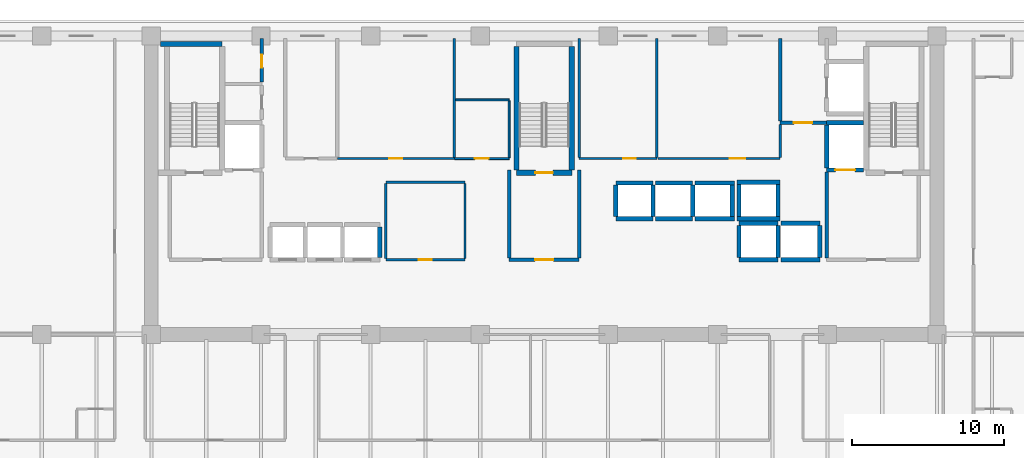
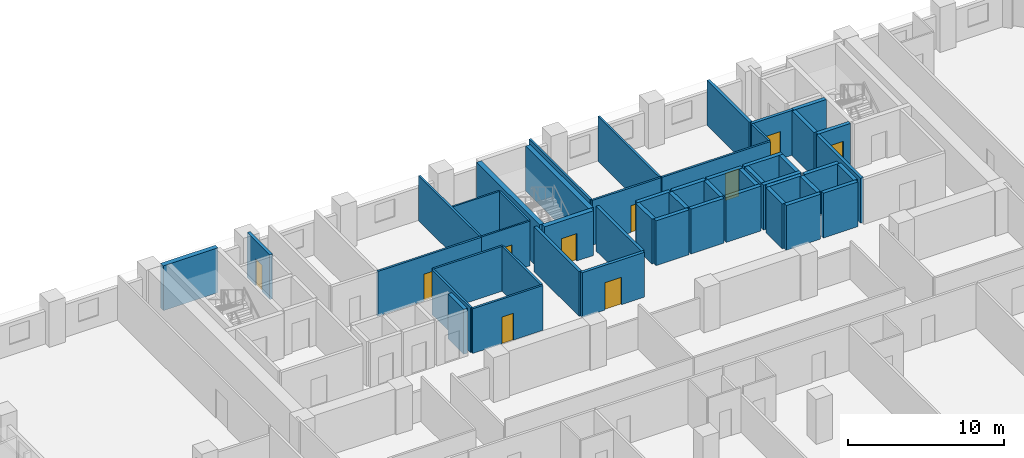
# One storey, part 7 of 14: 50 walls, 10 doors, 10 openings.
"""IFC4 building model written with IfcOpenShell, lengths in metres."""

import ifcopenshell
import ifcopenshell.guid

model = None  # the IFC model being written
_history = None  # IfcOwnerHistory: only IFC2X3 demands one
_inside = {}  # id of a spatial element -> (the spatial element, [elements in it])
_under = {}  # id of a project, library or spatial element -> (it, [spatial elements below it])
_declared = {}  # id of a project -> (the project, [libraries it declares])
_typed = {}  # id of a type object -> (the type object, [elements of that type])
_made_of = {}  # id of a material, layer set ... -> (it, [elements and type objects made of it])


def new_model(schema):
    """Start an empty IFC model of exactly this schema.

    Asked for "IFC4X3", IfcOpenShell would pick the latest addendum, in which some entities
    have other attributes; the version numbers below select the first issue.
    IFC2X3 requires an IfcOwnerHistory on every rooted entity: one is made here for all.
    """
    global model, _history
    if schema == "IFC4X3":
        model = ifcopenshell.file(schema_version=(4, 3, 0, 0))
    else:
        model = ifcopenshell.file(schema=schema)
    _inside.clear()
    _under.clear()
    _declared.clear()
    _typed.clear()
    _made_of.clear()
    _history = None
    if model.schema == "IFC2X3":
        org = make("IfcOrganization", Name="unknown")
        user = make(
            "IfcPersonAndOrganization",
            ThePerson=make("IfcPerson", FamilyName="unknown"),
            TheOrganization=org,
        )
        app = make(
            "IfcApplication",
            ApplicationDeveloper=org,
            Version="unknown",
            ApplicationFullName="unknown",
            ApplicationIdentifier="unknown",
        )
        _history = make(
            "IfcOwnerHistory",
            OwningUser=user,
            OwningApplication=app,
            ChangeAction="ADDED",
            CreationDate=0,
        )
    return model


def make(cls, **values):
    """One entity of the class cls with the attributes given. An attribute that is None is left unset."""
    return model.create_entity(
        cls, **{name: value for name, value in values.items() if value is not None}
    )


def rooted(cls, **values):
    """An entity with a GlobalId (a new one), such as an element, a storey or a relation."""
    return make(cls, GlobalId=ifcopenshell.guid.new(), OwnerHistory=_history, **values)


def si_unit(unit_type, name, prefix=None):
    """IfcSIUnit, for example si_unit("LENGTHUNIT", "METRE", prefix="MILLI")."""
    return make("IfcSIUnit", UnitType=unit_type, Prefix=prefix, Name=name)


def assignment(units):
    """IfcUnitAssignment: the units of a project."""
    return None if units is None else make("IfcUnitAssignment", Units=units)


def point(xyz):
    """IfcCartesianPoint."""
    return None if xyz is None else make("IfcCartesianPoint", Coordinates=xyz)


def direction(xyz):
    """IfcDirection."""
    return None if xyz is None else make("IfcDirection", DirectionRatios=xyz)


def frame(location, z_axis=None, x_axis=None):
    """IfcAxis2Placement3D, a coordinate frame: its origin and axes. An axis left out is left unset."""
    return make(
        "IfcAxis2Placement3D",
        Location=point(location),
        Axis=direction(z_axis),
        RefDirection=direction(x_axis),
    )


def frame_2d(location, x_axis=None):
    """IfcAxis2Placement2D, a coordinate frame in the plane: its origin and x axis."""
    return make(
        "IfcAxis2Placement2D", Location=point(location), RefDirection=direction(x_axis)
    )


def origin():
    """The frame at (0, 0, 0) with its axes left unset."""
    return frame((0.0, 0.0, 0.0))


def place(relative_to, where):
    """IfcLocalPlacement: puts the frame where relative to a parent placement (None: the world)."""
    return make(
        "IfcLocalPlacement", PlacementRelTo=relative_to, RelativePlacement=where
    )


def context(
    kind, dimensions, precision=None, world=None, true_north=None, identifier=None
):
    """IfcGeometricRepresentationContext, for example the 3D "Model" context."""
    return make(
        "IfcGeometricRepresentationContext",
        ContextIdentifier=identifier,
        ContextType=kind,
        CoordinateSpaceDimension=dimensions,
        Precision=precision,
        WorldCoordinateSystem=world,
        TrueNorth=true_north,
    )


def subcontext(parent, identifier, kind, view, scale=None):
    """IfcGeometricRepresentationSubContext, for example "Body" below "Model"."""
    return make(
        "IfcGeometricRepresentationSubContext",
        ContextIdentifier=identifier,
        ContextType=kind,
        ParentContext=parent,
        TargetScale=scale,
        TargetView=view,
    )


def project(units=None, contexts=None):
    """IfcProject with its units and contexts."""
    return rooted(
        "IfcProject",
        Name="project",
        RepresentationContexts=contexts,
        UnitsInContext=assignment(units),
    )


def spatial(cls, under=None, at=None, **own):
    """A site, building, storey or space (cls), placed at a placement, below another one or the project."""
    s = rooted(cls, ObjectPlacement=at, **own)
    if under is not None:
        _under.setdefault(under.id(), (under, []))[1].append(s)
    return s


def profile(cls, at=None, kind="AREA", **sizes):
    """A parametric profile (cls). Its sizes go by their IFC names, for example OverallWidth=200.0."""
    return make(cls, ProfileType=kind, Position=at, **sizes)


def rectangle(**sizes):
    """IfcRectangleProfileDef."""
    return profile("IfcRectangleProfileDef", **sizes)


def extrude(swept, where, along, depth):
    """IfcExtrudedAreaSolid: the profile swept, set in the frame where, extruded along a direction by depth."""
    return make(
        "IfcExtrudedAreaSolid",
        SweptArea=swept,
        Position=where,
        ExtrudedDirection=direction(along),
        Depth=depth,
    )


def shape(context_of_items, identifier, shape_type, items):
    """IfcShapeRepresentation: the items that make up one representation, for example the "Body"."""
    return make(
        "IfcShapeRepresentation",
        ContextOfItems=context_of_items,
        RepresentationIdentifier=identifier,
        RepresentationType=shape_type,
        Items=items,
    )


def material(Name=None, Category=None):
    """IfcMaterial."""
    return make("IfcMaterial", Name=Name, Category=Category)


def layer(
    of_material, thickness, ventilated=None, Name=None, Category=None, Priority=None
):
    """IfcMaterialLayer: one layer of a wall or slab, of a material (None: an air gap)."""
    return make(
        "IfcMaterialLayer",
        Material=of_material,
        LayerThickness=thickness,
        IsVentilated=ventilated,
        Name=Name,
        Category=Category,
        Priority=Priority,
    )


def layer_set(layers, Name=None):
    """IfcMaterialLayerSet."""
    return make("IfcMaterialLayerSet", MaterialLayers=layers, LayerSetName=Name)


def made_of(thing, what):
    """Note that an element or type object is made of a material, layer set ...; save() writes the relation."""
    if what is not None:
        _made_of.setdefault(what.id(), (what, []))[1].append(thing)
    return thing


def type_object(cls, material=None, **own):
    """A type object (cls), such as IfcWallType, which elements share."""
    return made_of(rooted(cls, **own), material)


def element(
    cls,
    number,
    at=None,
    inside=None,
    cuts=None,
    type_object=None,
    material=None,
    context=None,
    identifier="Body",
    shape_type=None,
    held_by="IfcProductDefinitionShape",
    body=None,
    shapes=None,
    **own,
):
    """One element of the class cls, such as IfcWall. Its Tag is "e" and its number.

    at: its placement. inside: the storey or other place that contains it. cuts: it is an
    opening in that element (IfcRelVoidsElement). A single representation is given by context,
    identifier, shape_type and body (its items); several are given by shapes. held_by: the class
    of the entity that holds the representations. save() writes the other relations.
    """
    e = rooted(cls, Tag="e%d" % number, ObjectPlacement=at, **own)
    if body is not None:
        shapes = [shape(context, identifier, shape_type, body)]
    if shapes is not None:
        e.Representation = make(held_by, Representations=shapes)
    if inside is not None:
        _inside.setdefault(inside.id(), (inside, []))[1].append(e)
    if cuts is not None:
        rooted(
            "IfcRelVoidsElement", RelatingBuildingElement=cuts, RelatedOpeningElement=e
        )
    if type_object is not None:
        _typed.setdefault(type_object.id(), (type_object, []))[1].append(e)
    return made_of(e, material)


def fill(opening, filler):
    """IfcRelFillsElement: the door or window that sits in an opening."""
    return rooted(
        "IfcRelFillsElement",
        RelatingOpeningElement=opening,
        RelatedBuildingElement=filler,
    )


def aggregate(whole, parts):
    """IfcRelAggregates: a whole, such as a stair, and the parts it consists of."""
    return rooted("IfcRelAggregates", RelatingObject=whole, RelatedObjects=parts)


def save(model, path):
    """Write the relations noted so far, then the file.

    IfcRelAggregates (storeys below a building ...), IfcRelContainedInSpatialStructure (elements
    in a storey), IfcRelDefinesByType, IfcRelAssociatesMaterial and IfcRelDeclares: one each for
    every whole, place, type object, material and project.
    """
    for whole, parts in _under.values():
        aggregate(whole, parts)
    for where, things in _inside.values():
        rooted(
            "IfcRelContainedInSpatialStructure",
            RelatedElements=things,
            RelatingStructure=where,
        )
    for kind, things in _typed.values():
        rooted("IfcRelDefinesByType", RelatedObjects=things, RelatingType=kind)
    for what, things in _made_of.values():
        rooted("IfcRelAssociatesMaterial", RelatedObjects=things, RelatingMaterial=what)
    for by, libraries in _declared.values():
        rooted("IfcRelDeclares", RelatingContext=by, RelatedDefinitions=libraries)
    model.write(path)


model = new_model("IFC4")

# Units and contexts
model_context = context("Model", 3, precision=1e-05, world=origin(), true_north=direction((0.0, 1.0)))
body_context = subcontext(model_context, "Body", "Model", "MODEL_VIEW")
ifc_project = project(units=[si_unit("LENGTHUNIT", "METRE"), si_unit("AREAUNIT", "SQUARE_METRE"), si_unit("VOLUMEUNIT", "CUBIC_METRE"), si_unit("PLANEANGLEUNIT", "RADIAN"), si_unit("MASSUNIT", "GRAM", prefix="KILO")], contexts=[model_context])

# Site, building, storey
site_placement = place(None, origin())
site = spatial("IfcSite", under=ifc_project, at=site_placement, CompositionType="ELEMENT")
building_placement = place(site_placement, origin())
building = spatial("IfcBuilding", under=site, at=building_placement, Name="Kaelvorn Grand Hotel", CompositionType="ELEMENT")
storey_placement = place(building_placement, frame((0.0, 0.0, 89.300048828125)))
storey = spatial("IfcBuildingStorey", under=building, at=storey_placement, Name="L20", CompositionType="ELEMENT", Elevation=89.300048828125)

# Wall, opening, door
ifc_material_1 = material(Name="Moisture-Resistant Tile & Stud Board")
ifc_layer_1 = layer(ifc_material_1, 0.125)
ifc_layer_set_1 = layer_set([ifc_layer_1], Name="Moisture-Resistant Tile & Stud Board")
wall_type_1 = type_object("IfcWallType", Name="WL-PART-125-WET", PredefinedType="PARTITIONING", material=ifc_layer_set_1)
wall_1_placement = place(storey_placement, frame((36.110107421875, 40.949951171875, 0.0), z_axis=(0.0, 0.0, 1.0), x_axis=(1.0, 0.0, 0.0)))
wall_1 = element("IfcWall", 1, at=wall_1_placement, inside=storey, type_object=wall_type_1, Name="L20 Accessible WC S Partition", PredefinedType="PARTITIONING", context=body_context, shape_type="SweptSolid", body=[
    extrude(rectangle(XDim=3.58984375, YDim=0.125, at=frame_2d((1.794921875, 0.0))), origin(), (0.0, 0.0, 1.0), 3.510009765625),
])
opening_1_placement = place(wall_1_placement, frame((1.340087890625, 0.0, 0.0)))
opening_1 = element("IfcOpeningElement", 2, at=opening_1_placement, cuts=wall_1, Name="Opening DI4", PredefinedType="OPENING", context=body_context, shape_type="SweptSolid", body=[
    extrude(rectangle(XDim=0.89990234375, YDim=2.10009765625, at=frame_2d((0.449951171875, 1.050048828125))), frame((0.0, 0.072509765625, 0.0), z_axis=(0.0, -1.0, 0.0), x_axis=(1.0, 0.0, 0.0)), (0.0, 0.0, 1.0), 0.14501953125),
])
ifc_material_2 = material(Name="Timber Veneer Leaf", Category="wood")
door_type_1 = type_object("IfcDoorType", Name="DR-INT-BATH-900x2100", OperationType="NOTDEFINED", PredefinedType="DOOR", material=ifc_material_2)
door_1_placement = place(opening_1_placement, origin())
door_1 = element("IfcDoor", 3, at=door_1_placement, inside=storey, type_object=door_type_1, Name="L20 Accessible WC Door", OperationType="SINGLE_SWING_RIGHT", OverallHeight=2.10009765625, OverallWidth=0.89990234375, PredefinedType="DOOR", context=body_context, shape_type="SweptSolid", body=[
    extrude(rectangle(XDim=0.89990234375, YDim=2.10009765625, at=frame_2d((0.449951171875, 1.050048828125))), frame((0.0, 0.02490234375, 0.0), z_axis=(0.0, -1.0, 0.0), x_axis=(1.0, 0.0, 0.0)), (0.0, 0.0, 1.0), 0.050048828125),
])
fill(opening_1, door_1)

# Walls
wall_2_placement = place(storey_placement, frame((36.179931640625, 44.800048828125, 0.0), z_axis=(0.0, 0.0, 1.0), x_axis=(1.0, 0.0, 0.0)))
element("IfcWall", 4, at=wall_2_placement, inside=storey, type_object=wall_type_1, Name="L20 Accessible WC N Partition", PredefinedType="PARTITIONING", context=body_context, shape_type="SweptSolid", body=[
    extrude(rectangle(XDim=3.52001953125, YDim=0.125, at=frame_2d((1.760009765625, 0.0))), origin(), (0.0, 0.0, 1.0), 3.510009765625),
])
wall_3_placement = place(storey_placement, frame((39.699951171875, 41.017578125, 0.0), z_axis=(0.0, 0.0, 1.0), x_axis=(0.0, 1.0, 0.0)))
element("IfcWall", 5, at=wall_3_placement, inside=storey, type_object=wall_type_1, Name="L20 Accessible WC E Partition", PredefinedType="PARTITIONING", context=body_context, shape_type="SweptSolid", body=[
    extrude(rectangle(XDim=3.71484375, YDim=0.125, at=frame_2d((1.857421875, 0.0))), origin(), (0.0, 0.0, 1.0), 3.510009765625),
])

# Wall, opening, door
ifc_material_3 = material(Name="Acoustic Gypsum & Stud Partition")
ifc_layer_2 = layer(ifc_material_3, 0.14990234375)
ifc_layer_set_2 = layer_set([ifc_layer_2], Name="Acoustic Gypsum & Stud Partition")
wall_type_2 = type_object("IfcWallType", Name="WL-PART-150-EI60", PredefinedType="PARTITIONING", material=ifc_layer_set_2)
wall_4_placement = place(storey_placement, frame((31.60009765625, 34.300048828125, 0.0), z_axis=(0.0, 0.0, 1.0), x_axis=(1.0, 0.0, 0.0)))
wall_4 = element("IfcWall", 6, at=wall_4_placement, inside=storey, type_object=wall_type_2, Name="L20 Core Telecoms & BMS Server Room S Partition", PredefinedType="PARTITIONING", context=body_context, shape_type="SweptSolid", body=[
    extrude(rectangle(XDim=5.199951171875, YDim=0.14990234375, at=frame_2d((2.60009765625, 0.0))), origin(), (0.0, 0.0, 1.0), 3.510009765625),
])
opening_2_placement = place(wall_4_placement, frame((2.175048828125, 0.0, 0.0)))
opening_2 = element("IfcOpeningElement", 7, at=opening_2_placement, cuts=wall_4, Name="Opening DI7", PredefinedType="OPENING", context=body_context, shape_type="SweptSolid", body=[
    extrude(rectangle(XDim=0.85009765625, YDim=2.10009765625, at=frame_2d((0.425048828125, 1.050048828125))), frame((0.0, 0.0849609375, 0.0), z_axis=(0.0, -1.0, 0.0), x_axis=(1.0, 0.0, 0.0)), (0.0, 0.0, 1.0), 0.169921875),
])
ifc_material_4 = material(Name="Powder-Coated Steel Leaf", Category="steel")
door_type_2 = type_object("IfcDoorType", Name="DR-INT-RISER-850x2100", OperationType="NOTDEFINED", PredefinedType="DOOR", material=ifc_material_4)
door_2_placement = place(opening_2_placement, origin())
door_2 = element("IfcDoor", 8, at=door_2_placement, inside=storey, type_object=door_type_2, Name="L20 Core Telecoms & BMS Server Room Door", OperationType="SINGLE_SWING_LEFT", OverallHeight=2.10009765625, OverallWidth=0.85009765625, PredefinedType="DOOR", context=body_context, shape_type="SweptSolid", body=[
    extrude(rectangle(XDim=0.85009765625, YDim=2.10009765625, at=frame_2d((0.425048828125, 1.050048828125))), frame((0.0, 0.02490234375, 0.0), z_axis=(0.0, -1.0, 0.0), x_axis=(1.0, 0.0, 0.0)), (0.0, 0.0, 1.0), 0.050048828125),
])
fill(opening_2, door_2)

# Walls
wall_5_placement = place(storey_placement, frame((31.60009765625, 39.39990234375, 0.0), z_axis=(0.0, 0.0, 1.0), x_axis=(1.0, 0.0, 0.0)))
element("IfcWall", 9, at=wall_5_placement, inside=storey, type_object=wall_type_2, Name="L20 Core Telecoms & BMS Server Room N Partition", PredefinedType="PARTITIONING", context=body_context, shape_type="SweptSolid", body=[
    extrude(rectangle(XDim=5.199951171875, YDim=0.14990234375, at=frame_2d((2.60009765625, 0.0))), origin(), (0.0, 0.0, 1.0), 3.510009765625),
])
for number, where, z_axis, x_axis, name in (
    (10, (31.60009765625, 34.3798828125, 0.0), (0.0, 0.0, 1.0), (0.0, 1.0, 0.0), "L20 Core Telecoms & BMS Server Room W Partition"),
    (11, (36.800048828125, 34.3798828125, 0.0), (0.0, 0.0, 1.0), (0.0, 1.0, 0.0), "L20 Core Telecoms & BMS Server Room E Partition"),
):
    element("IfcWall", number, at=place(storey_placement, frame(where, z_axis=z_axis, x_axis=x_axis)), inside=storey, type_object=wall_type_2, Name=name, PredefinedType="PARTITIONING", context=body_context, shape_type="SweptSolid", body=[
        extrude(rectangle(XDim=4.940185546875, YDim=0.14990234375, at=frame_2d((2.47021484375, 0.0))), origin(), (0.0, 0.0, 1.0), 3.510009765625),
    ])

# Wall, opening, door
wall_6_placement = place(storey_placement, frame((28.409912109375, 40.949951171875, 0.0), z_axis=(0.0, 0.0, 1.0), x_axis=(1.0, 0.0, 0.0)))
wall_6 = element("IfcWall", 12, at=wall_6_placement, inside=storey, type_object=wall_type_2, Name="L20 Housekeeping & Linen Room S Partition", PredefinedType="PARTITIONING", context=body_context, shape_type="SweptSolid", body=[
    extrude(rectangle(XDim=7.690185546875, YDim=0.14990234375, at=frame_2d((3.84521484375, 0.0))), origin(), (0.0, 0.0, 1.0), 3.510009765625),
])
opening_3_placement = place(wall_6_placement, frame((3.4150390625, 0.0, 0.0)))
opening_3 = element("IfcOpeningElement", 13, at=opening_3_placement, cuts=wall_6, Name="Opening DI7", PredefinedType="OPENING", context=body_context, shape_type="SweptSolid", body=[
    extrude(rectangle(XDim=0.85009765625, YDim=2.10009765625, at=frame_2d((0.425048828125, 1.050048828125))), frame((0.0, 0.0849609375, 0.0), z_axis=(0.0, -1.0, 0.0), x_axis=(1.0, 0.0, 0.0)), (0.0, 0.0, 1.0), 0.169921875),
])
door_3_placement = place(opening_3_placement, origin())
door_3 = element("IfcDoor", 14, at=door_3_placement, inside=storey, type_object=door_type_2, Name="L20 Housekeeping & Linen Room Door", OperationType="SINGLE_SWING_LEFT", OverallHeight=2.10009765625, OverallWidth=0.85009765625, PredefinedType="DOOR", context=body_context, shape_type="SweptSolid", body=[
    extrude(rectangle(XDim=0.85009765625, YDim=2.10009765625, at=frame_2d((0.425048828125, 1.050048828125))), frame((0.0, 0.02490234375, 0.0), z_axis=(0.0, -1.0, 0.0), x_axis=(1.0, 0.0, 0.0)), (0.0, 0.0, 1.0), 0.050048828125),
])
fill(opening_3, door_3)

# Wall
wall_7_placement = place(storey_placement, frame((36.10009765625, 41.030029296875, 0.0), z_axis=(0.0, 0.0, 1.0), x_axis=(0.0, 1.0, 0.0)))
element("IfcWall", 15, at=wall_7_placement, inside=storey, type_object=wall_type_2, Name="L20 Housekeeping & Linen Room E Partition", PredefinedType="PARTITIONING", context=body_context, shape_type="SweptSolid", body=[
    extrude(rectangle(XDim=7.820068359375, YDim=0.14990234375, at=frame_2d((3.91015625, 0.0))), origin(), (0.0, 0.0, 1.0), 3.510009765625),
])

# Wall, opening, door
wall_8_placement = place(storey_placement, frame((44.300048828125, 40.949951171875, 0.0), z_axis=(0.0, 0.0, 1.0), x_axis=(1.0, 0.0, 0.0)))
wall_8 = element("IfcWall", 16, at=wall_8_placement, inside=storey, type_object=wall_type_2, Name="L20 Laundry Chute Vestibule S Partition", PredefinedType="PARTITIONING", context=body_context, shape_type="SweptSolid", body=[
    extrude(rectangle(XDim=5.099853515625, YDim=0.14990234375, at=frame_2d((2.5498046875, 0.0))), origin(), (0.0, 0.0, 1.0), 3.510009765625),
])
opening_4_placement = place(wall_8_placement, frame((2.875, 0.0, 0.0)))
opening_4 = element("IfcOpeningElement", 17, at=opening_4_placement, cuts=wall_8, Name="Opening DI7", PredefinedType="OPENING", context=body_context, shape_type="SweptSolid", body=[
    extrude(rectangle(XDim=0.85009765625, YDim=2.10009765625, at=frame_2d((0.425048828125, 1.050048828125))), frame((0.0, 0.0849609375, 0.0), z_axis=(0.0, -1.0, 0.0), x_axis=(1.0, 0.0, 0.0)), (0.0, 0.0, 1.0), 0.169921875),
])
door_4_placement = place(opening_4_placement, origin())
door_4 = element("IfcDoor", 18, at=door_4_placement, inside=storey, type_object=door_type_2, Name="L20 Laundry Chute Vestibule Door", OperationType="SINGLE_SWING_LEFT", OverallHeight=2.10009765625, OverallWidth=0.85009765625, PredefinedType="DOOR", context=body_context, shape_type="SweptSolid", body=[
    extrude(rectangle(XDim=0.85009765625, YDim=2.10009765625, at=frame_2d((0.425048828125, 1.050048828125))), frame((0.0, 0.02490234375, 0.0), z_axis=(0.0, -1.0, 0.0), x_axis=(1.0, 0.0, 0.0)), (0.0, 0.0, 1.0), 0.050048828125),
])
fill(opening_4, door_4)

# Walls
for number, where, z_axis, x_axis, name in (
    (19, (44.300048828125, 41.030029296875, 0.0), (0.0, 0.0, 1.0), (0.0, 1.0, 0.0), "L20 Laundry Chute Vestibule W Partition"),
    (20, (49.39990234375, 41.030029296875, 0.0), (0.0, 0.0, 1.0), (0.0, 1.0, 0.0), "L20 Laundry Chute Vestibule E Partition"),
):
    element("IfcWall", number, at=place(storey_placement, frame(where, z_axis=z_axis, x_axis=x_axis)), inside=storey, type_object=wall_type_2, Name=name, PredefinedType="PARTITIONING", context=body_context, shape_type="SweptSolid", body=[
        extrude(rectangle(XDim=7.820068359375, YDim=0.14990234375, at=frame_2d((3.91015625, 0.0))), origin(), (0.0, 0.0, 1.0), 3.510009765625),
    ])

# Wall, opening, door
wall_9_placement = place(storey_placement, frame((49.47998046875, 40.949951171875, 0.0), z_axis=(0.0, 0.0, 1.0), x_axis=(1.0, 0.0, 0.0)))
wall_9 = element("IfcWall", 21, at=wall_9_placement, inside=storey, type_object=wall_type_2, Name="L20 Butler Servery Pantry S Partition", PredefinedType="PARTITIONING", context=body_context, shape_type="SweptSolid", body=[
    extrude(rectangle(XDim=8.02001953125, YDim=0.14990234375, at=frame_2d((4.010009765625, 0.0))), origin(), (0.0, 0.0, 1.0), 3.510009765625),
])
opening_5_placement = place(wall_9_placement, frame((4.719970703125, 0.0, 0.0)))
opening_5 = element("IfcOpeningElement", 22, at=opening_5_placement, cuts=wall_9, Name="Opening DI3", PredefinedType="OPENING", context=body_context, shape_type="SweptSolid", body=[
    extrude(rectangle(XDim=1.0, YDim=2.14990234375, at=frame_2d((0.5, 1.074951171875))), frame((0.0, 0.0849609375, 0.0), z_axis=(0.0, -1.0, 0.0), x_axis=(1.0, 0.0, 0.0)), (0.0, 0.0, 1.0), 0.169921875),
])
ifc_material_5 = material(Name="Timber Veneer Fire Leaf", Category="wood")
door_type_3 = type_object("IfcDoorType", Name="DR-INT-GUEST-1000x2150", OperationType="NOTDEFINED", PredefinedType="DOOR", material=ifc_material_5)
door_5_placement = place(opening_5_placement, origin())
door_5 = element("IfcDoor", 23, at=door_5_placement, inside=storey, type_object=door_type_3, Name="L20 Butler Servery Pantry Door", OperationType="SINGLE_SWING_RIGHT", OverallHeight=2.14990234375, OverallWidth=1.0, PredefinedType="DOOR", context=body_context, shape_type="SweptSolid", body=[
    extrude(rectangle(XDim=1.0, YDim=2.14990234375, at=frame_2d((0.5, 1.074951171875))), frame((0.0, 0.02490234375, 0.0), z_axis=(0.0, -1.0, 0.0), x_axis=(1.0, 0.0, 0.0)), (0.0, 0.0, 1.0), 0.050048828125),
])
fill(opening_5, door_5)

# Walls
wall_10_placement = place(storey_placement, frame((57.5, 41.030029296875, 0.0), z_axis=(0.0, 0.0, 1.0), x_axis=(0.0, 1.0, 0.0)))
element("IfcWall", 24, at=wall_10_placement, inside=storey, type_object=wall_type_2, Name="L20 Butler Servery Pantry E Partition", PredefinedType="PARTITIONING", context=body_context, shape_type="SweptSolid", body=[
    extrude(rectangle(XDim=2.155029296875, YDim=0.14990234375, at=frame_2d((1.07763671875, 0.0))), origin(), (0.0, 0.0, 1.0), 3.510009765625),
])
ifc_material_6 = material(Name="Concrete C40/50", Category="concrete")
ifc_layer_3 = layer(ifc_material_6, 0.219970703125)
ifc_layer_set_3 = layer_set([ifc_layer_3], Name="Concrete C40/50")
wall_type_3 = type_object("IfcWallType", Name="WL-PART-220-EI120", PredefinedType="PARTITIONING", material=ifc_layer_set_3)
wall_11_placement = place(storey_placement, frame((60.550048828125, 34.4150390625, 0.0), z_axis=(0.0, 0.0, 1.0), x_axis=(0.0, 1.0, 0.0)))
element("IfcWall", 25, at=wall_11_placement, inside=storey, type_object=wall_type_3, Name="L20 Firefighting Lift Lobby 2 W Partition", PredefinedType="PARTITIONING", context=body_context, shape_type="SweptSolid", body=[
    extrude(rectangle(XDim=5.639892578125, YDim=0.219970703125, at=frame_2d((2.81982421875, 0.0))), origin(), (0.0, 0.0, 1.0), 3.510009765625),
])

# Wall, opening, door
wall_12_placement = place(storey_placement, frame((39.699951171875, 34.300048828125, 0.0), z_axis=(0.0, 0.0, 1.0), x_axis=(1.0, 0.0, 0.0)))
wall_12 = element("IfcWall", 26, at=wall_12_placement, inside=storey, type_object=wall_type_3, Name="L20 Central Stair Escape Vestibule S Partition", PredefinedType="PARTITIONING", context=body_context, shape_type="SweptSolid", body=[
    extrude(rectangle(XDim=4.60009765625, YDim=0.219970703125, at=frame_2d((2.300048828125, 0.0))), origin(), (0.0, 0.0, 1.0), 3.510009765625),
])
opening_6_placement = place(wall_12_placement, frame((1.699951171875, 0.0, 0.0)))
opening_6 = element("IfcOpeningElement", 27, at=opening_6_placement, cuts=wall_12, Name="Opening DI2", PredefinedType="OPENING", context=body_context, shape_type="SweptSolid", body=[
    extrude(rectangle(XDim=1.199951171875, YDim=2.14990234375, at=frame_2d((0.60009765625, 1.074951171875))), frame((0.0, 0.1201171875, 0.0), z_axis=(0.0, -1.0, 0.0), x_axis=(1.0, 0.0, 0.0)), (0.0, 0.0, 1.0), 0.239990234375),
])
door_type_4 = type_object("IfcDoorType", Name="DR-INT-FFLOB-1200x2150", OperationType="NOTDEFINED", PredefinedType="DOOR", material=ifc_material_5)
door_6_placement = place(opening_6_placement, origin())
door_6 = element("IfcDoor", 28, at=door_6_placement, inside=storey, type_object=door_type_4, Name="L20 Central Stair Escape Vestibule Door", OperationType="SINGLE_SWING_LEFT", OverallHeight=2.14990234375, OverallWidth=1.199951171875, PredefinedType="DOOR", context=body_context, shape_type="SweptSolid", body=[
    extrude(rectangle(XDim=1.199951171875, YDim=2.14990234375, at=frame_2d((0.60009765625, 1.074951171875))), frame((0.0, 0.02490234375, 0.0), z_axis=(0.0, -1.0, 0.0), x_axis=(1.0, 0.0, 0.0)), (0.0, 0.0, 1.0), 0.050048828125),
])
fill(opening_6, door_6)

# Walls
for number, where, z_axis, x_axis, name in (
    (29, (39.699951171875, 34.4150390625, 0.0), (0.0, 0.0, 1.0), (0.0, 1.0, 0.0), "L20 Central Stair Escape Vestibule W Partition"),
    (30, (44.300048828125, 34.4150390625, 0.0), (0.0, 0.0, 1.0), (0.0, 1.0, 0.0), "L20 Central Stair Escape Vestibule E Partition"),
):
    element("IfcWall", number, at=place(storey_placement, frame(where, z_axis=z_axis, x_axis=x_axis)), inside=storey, type_object=wall_type_3, Name=name, PredefinedType="PARTITIONING", context=body_context, shape_type="SweptSolid", body=[
        extrude(rectangle(XDim=5.784912109375, YDim=0.219970703125, at=frame_2d((2.892578125, 0.0))), origin(), (0.0, 0.0, 1.0), 3.510009765625),
    ])

# Wall, opening, door
wall_13_placement = place(storey_placement, frame((57.5, 43.300048828125, 0.0), z_axis=(0.0, 0.0, 1.0), x_axis=(1.0, 0.0, 0.0)))
wall_13 = element("IfcWall", 31, at=wall_13_placement, inside=storey, type_object=wall_type_3, Name="L20 Service Lift Lobby S Partition", PredefinedType="PARTITIONING", context=body_context, shape_type="SweptSolid", body=[
    extrude(rectangle(XDim=3.0400390625, YDim=0.219970703125, at=frame_2d((1.52001953125, 0.0))), origin(), (0.0, 0.0, 1.0), 3.510009765625),
])
opening_7_placement = place(wall_13_placement, frame((0.89990234375, 0.0, 0.0)))
opening_7 = element("IfcOpeningElement", 32, at=opening_7_placement, cuts=wall_13, Name="Opening DI2", PredefinedType="OPENING", context=body_context, shape_type="SweptSolid", body=[
    extrude(rectangle(XDim=1.199951171875, YDim=2.14990234375, at=frame_2d((0.60009765625, 1.074951171875))), frame((0.0, 0.1201171875, 0.0), z_axis=(0.0, -1.0, 0.0), x_axis=(1.0, 0.0, 0.0)), (0.0, 0.0, 1.0), 0.239990234375),
])
door_7_placement = place(opening_7_placement, origin())
door_7 = element("IfcDoor", 33, at=door_7_placement, inside=storey, type_object=door_type_4, Name="L20 Service Lift Lobby Door", OperationType="SINGLE_SWING_RIGHT", OverallHeight=2.14990234375, OverallWidth=1.199951171875, PredefinedType="DOOR", context=body_context, shape_type="SweptSolid", body=[
    extrude(rectangle(XDim=1.199951171875, YDim=2.14990234375, at=frame_2d((0.60009765625, 1.074951171875))), frame((0.0, 0.02490234375, 0.0), z_axis=(0.0, -1.0, 0.0), x_axis=(1.0, 0.0, 0.0)), (0.0, 0.0, 1.0), 0.050048828125),
])
fill(opening_7, door_7)

# Wall
wall_14_placement = place(storey_placement, frame((57.5, 43.4150390625, 0.0), z_axis=(0.0, 0.0, 1.0), x_axis=(0.0, 1.0, 0.0)))
element("IfcWall", 34, at=wall_14_placement, inside=storey, type_object=wall_type_3, Name="L20 Service Lift Lobby W Partition", PredefinedType="PARTITIONING", context=body_context, shape_type="SweptSolid", body=[
    extrude(rectangle(XDim=5.43505859375, YDim=0.219970703125, at=frame_2d((2.717529296875, 0.0))), origin(), (0.0, 0.0, 1.0), 3.510009765625),
])

# Wall, opening, door
wall_15_placement = place(storey_placement, frame((23.449951171875, 45.965087890625, 0.0), z_axis=(0.0, 0.0, 1.0), x_axis=(0.0, 1.0, 0.0)))
wall_15 = element("IfcWall", 35, at=wall_15_placement, inside=storey, type_object=wall_type_3, Name="L20 HV Electrical & Smoke Riser E Partition", PredefinedType="PARTITIONING", context=body_context, shape_type="SweptSolid", body=[
    extrude(rectangle(XDim=2.885009765625, YDim=0.219970703125, at=frame_2d((1.4423828125, 0.0))), origin(), (0.0, 0.0, 1.0), 3.510009765625),
])
opening_8_placement = place(wall_15_placement, frame((0.9599609375, 0.0, 0.0)))
opening_8 = element("IfcOpeningElement", 36, at=opening_8_placement, cuts=wall_15, Name="Opening DI7", PredefinedType="OPENING", context=body_context, shape_type="SweptSolid", body=[
    extrude(rectangle(XDim=0.85009765625, YDim=2.10009765625, at=frame_2d((0.425048828125, 1.050048828125))), frame((0.0, 0.1201171875, 0.0), z_axis=(0.0, -1.0, 0.0), x_axis=(1.0, 0.0, 0.0)), (0.0, 0.0, 1.0), 0.239990234375),
])
door_8_placement = place(opening_8_placement, origin())
door_8 = element("IfcDoor", 37, at=door_8_placement, inside=storey, type_object=door_type_2, Name="L20 HV Electrical & Smoke Riser Door", OperationType="SINGLE_SWING_RIGHT", OverallHeight=2.10009765625, OverallWidth=0.85009765625, PredefinedType="DOOR", context=body_context, shape_type="SweptSolid", body=[
    extrude(rectangle(XDim=0.85009765625, YDim=2.10009765625, at=frame_2d((0.425048828125, 1.050048828125))), frame((0.0, 0.02490234375, 0.0), z_axis=(0.0, -1.0, 0.0), x_axis=(1.0, 0.0, 0.0)), (0.0, 0.0, 1.0), 0.050048828125),
])
fill(opening_8, door_8)

# Walls
ifc_material_7 = material(Name="Concrete C50/60", Category="concrete")
ifc_layer_4 = layer(ifc_material_7, 0.280029296875)
ifc_layer_set_4 = layer_set([ifc_layer_4], Name="Concrete C50/60")
wall_type_4 = type_object("IfcWallType", Name="WL-SHAFT-280-C50", PredefinedType="SHEAR", material=ifc_layer_set_4)
wall_16_placement = place(storey_placement, frame((31.199951171875, 34.445068359375, 0.0), z_axis=(0.0, 0.0, 1.0), x_axis=(0.0, 1.0, 0.0)))
element("IfcWall", 38, at=wall_16_placement, inside=storey, type_object=wall_type_4, Name="L20 Lift PL-L3 Shaft East Wall", PredefinedType="SHEAR", context=body_context, shape_type="SweptSolid", body=[
    extrude(rectangle(XDim=2.010009765625, YDim=0.280029296875, at=frame_2d((1.0048828125, 0.0))), origin(), (0.0, 0.0, 1.0), 3.510009765625),
])
for number, where, z_axis, x_axis, name in (
    (39, (46.699951171875, 37.0, 0.0), (0.0, 0.0, 1.0), (1.0, 0.0, 0.0), "L20 Lift SL-1 Shaft South Wall"),
    (40, (46.699951171875, 39.35009765625, 0.0), (0.0, 0.0, 1.0), (1.0, 0.0, 0.0), "L20 Lift SL-1 Shaft North Wall"),
):
    element("IfcWall", number, at=place(storey_placement, frame(where, z_axis=z_axis, x_axis=x_axis)), inside=storey, type_object=wall_type_4, Name=name, PredefinedType="SHEAR", context=body_context, shape_type="SweptSolid", body=[
        extrude(rectangle(XDim=2.449951171875, YDim=0.280029296875, at=frame_2d((1.22509765625, 0.0))), origin(), (0.0, 0.0, 1.0), 3.510009765625),
    ])
for number, where, z_axis, x_axis, name in (
    (41, (46.699951171875, 37.14501953125, 0.0), (0.0, 0.0, 1.0), (0.0, 1.0, 0.0), "L20 Lift SL-1 Shaft West Wall"),
    (42, (49.14990234375, 37.14501953125, 0.0), (0.0, 0.0, 1.0), (0.0, 1.0, 0.0), "L20 Lift SL-1 Shaft East Wall"),
):
    element("IfcWall", number, at=place(storey_placement, frame(where, z_axis=z_axis, x_axis=x_axis)), inside=storey, type_object=wall_type_4, Name=name, PredefinedType="SHEAR", context=body_context, shape_type="SweptSolid", body=[
        extrude(rectangle(XDim=2.06005859375, YDim=0.280029296875, at=frame_2d((1.030029296875, 0.0))), origin(), (0.0, 0.0, 1.0), 3.510009765625),
    ])
for number, where, z_axis, x_axis, name in (
    (43, (49.300048828125, 37.0, 0.0), (0.0, 0.0, 1.0), (1.0, 0.0, 0.0), "L20 Lift SL-2 Shaft South Wall"),
    (44, (49.300048828125, 39.35009765625, 0.0), (0.0, 0.0, 1.0), (1.0, 0.0, 0.0), "L20 Lift SL-2 Shaft North Wall"),
):
    element("IfcWall", number, at=place(storey_placement, frame(where, z_axis=z_axis, x_axis=x_axis)), inside=storey, type_object=wall_type_4, Name=name, PredefinedType="SHEAR", context=body_context, shape_type="SweptSolid", body=[
        extrude(rectangle(XDim=2.449951171875, YDim=0.280029296875, at=frame_2d((1.22509765625, 0.0))), origin(), (0.0, 0.0, 1.0), 3.510009765625),
    ])
wall_17_placement = place(storey_placement, frame((51.75, 37.14501953125, 0.0), z_axis=(0.0, 0.0, 1.0), x_axis=(0.0, 1.0, 0.0)))
element("IfcWall", 45, at=wall_17_placement, inside=storey, type_object=wall_type_4, Name="L20 Lift SL-2 Shaft East Wall", PredefinedType="SHEAR", context=body_context, shape_type="SweptSolid", body=[
    extrude(rectangle(XDim=2.06005859375, YDim=0.280029296875, at=frame_2d((1.030029296875, 0.0))), origin(), (0.0, 0.0, 1.0), 3.510009765625),
])
for number, where, z_axis, x_axis, name in (
    (46, (51.89990234375, 37.0, 0.0), (0.0, 0.0, 1.0), (1.0, 0.0, 0.0), "L20 Lift SL-3 Shaft South Wall"),
    (47, (51.89990234375, 39.35009765625, 0.0), (0.0, 0.0, 1.0), (1.0, 0.0, 0.0), "L20 Lift SL-3 Shaft North Wall"),
):
    element("IfcWall", number, at=place(storey_placement, frame(where, z_axis=z_axis, x_axis=x_axis)), inside=storey, type_object=wall_type_4, Name=name, PredefinedType="SHEAR", context=body_context, shape_type="SweptSolid", body=[
        extrude(rectangle(XDim=2.590087890625, YDim=0.280029296875, at=frame_2d((1.294921875, 0.0))), origin(), (0.0, 0.0, 1.0), 3.510009765625),
    ])
wall_18_placement = place(storey_placement, frame((54.35009765625, 37.14501953125, 0.0), z_axis=(0.0, 0.0, 1.0), x_axis=(0.0, 1.0, 0.0)))
element("IfcWall", 48, at=wall_18_placement, inside=storey, type_object=wall_type_4, Name="L20 Lift SL-3 Shaft East Wall", PredefinedType="SHEAR", context=body_context, shape_type="SweptSolid", body=[
    extrude(rectangle(XDim=2.06005859375, YDim=0.280029296875, at=frame_2d((1.030029296875, 0.0))), origin(), (0.0, 0.0, 1.0), 3.510009765625),
])
for number, where, z_axis, x_axis, name in (
    (49, (54.800048828125, 34.300048828125, 0.0), (0.0, 0.0, 1.0), (1.0, 0.0, 0.0), "L20 Lift OL-1 Shaft South Wall"),
    (50, (54.800048828125, 36.699951171875, 0.0), (0.0, 0.0, 1.0), (1.0, 0.0, 0.0), "L20 Lift OL-1 Shaft North Wall"),
):
    element("IfcWall", number, at=place(storey_placement, frame(where, z_axis=z_axis, x_axis=x_axis)), inside=storey, type_object=wall_type_4, Name=name, PredefinedType="SHEAR", context=body_context, shape_type="SweptSolid", body=[
        extrude(rectangle(XDim=2.550048828125, YDim=0.280029296875, at=frame_2d((1.27490234375, 0.0))), origin(), (0.0, 0.0, 1.0), 3.510009765625),
    ])
for number, where, z_axis, x_axis, name in (
    (51, (54.800048828125, 34.445068359375, 0.0), (0.0, 0.0, 1.0), (0.0, 1.0, 0.0), "L20 Lift OL-1 Shaft West Wall"),
    (52, (57.35009765625, 34.445068359375, 0.0), (0.0, 0.0, 1.0), (0.0, 1.0, 0.0), "L20 Lift OL-1 Shaft East Wall"),
):
    element("IfcWall", number, at=place(storey_placement, frame(where, z_axis=z_axis, x_axis=x_axis)), inside=storey, type_object=wall_type_4, Name=name, PredefinedType="SHEAR", context=body_context, shape_type="SweptSolid", body=[
        extrude(rectangle(XDim=2.10986328125, YDim=0.280029296875, at=frame_2d((1.054931640625, 0.0))), origin(), (0.0, 0.0, 1.0), 3.510009765625),
    ])
for number, where, z_axis, x_axis, name in (
    (53, (57.550048828125, 34.300048828125, 0.0), (0.0, 0.0, 1.0), (1.0, 0.0, 0.0), "L20 Lift OL-2 Shaft South Wall"),
    (54, (57.550048828125, 36.699951171875, 0.0), (0.0, 0.0, 1.0), (1.0, 0.0, 0.0), "L20 Lift OL-2 Shaft North Wall"),
):
    element("IfcWall", number, at=place(storey_placement, frame(where, z_axis=z_axis, x_axis=x_axis)), inside=storey, type_object=wall_type_4, Name=name, PredefinedType="SHEAR", context=body_context, shape_type="SweptSolid", body=[
        extrude(rectangle(XDim=2.550048828125, YDim=0.280029296875, at=frame_2d((1.27490234375, 0.0))), origin(), (0.0, 0.0, 1.0), 3.510009765625),
    ])
wall_19_placement = place(storey_placement, frame((60.10009765625, 34.445068359375, 0.0), z_axis=(0.0, 0.0, 1.0), x_axis=(0.0, 1.0, 0.0)))
element("IfcWall", 55, at=wall_19_placement, inside=storey, type_object=wall_type_4, Name="L20 Lift OL-2 Shaft East Wall", PredefinedType="SHEAR", context=body_context, shape_type="SweptSolid", body=[
    extrude(rectangle(XDim=2.10986328125, YDim=0.280029296875, at=frame_2d((1.054931640625, 0.0))), origin(), (0.0, 0.0, 1.0), 3.510009765625),
])
for number, where, z_axis, x_axis, name in (
    (56, (54.659912109375, 37.0, 0.0), (0.0, 0.0, 1.0), (1.0, 0.0, 0.0), "L20 Lift OL-3 Shaft South Wall"),
    (57, (54.659912109375, 39.39990234375, 0.0), (0.0, 0.0, 1.0), (1.0, 0.0, 0.0), "L20 Lift OL-3 Shaft North Wall"),
):
    element("IfcWall", number, at=place(storey_placement, frame(where, z_axis=z_axis, x_axis=x_axis)), inside=storey, type_object=wall_type_4, Name=name, PredefinedType="SHEAR", context=body_context, shape_type="SweptSolid", body=[
        extrude(rectangle(XDim=2.830078125, YDim=0.280029296875, at=frame_2d((1.4150390625, 0.0))), origin(), (0.0, 0.0, 1.0), 3.510009765625),
    ])
for number, where, z_axis, x_axis, name in (
    (58, (54.800048828125, 37.14501953125, 0.0), (0.0, 0.0, 1.0), (0.0, 1.0, 0.0), "L20 Lift OL-3 Shaft West Wall"),
    (59, (57.35009765625, 37.14501953125, 0.0), (0.0, 0.0, 1.0), (0.0, 1.0, 0.0), "L20 Lift OL-3 Shaft East Wall"),
):
    element("IfcWall", number, at=place(storey_placement, frame(where, z_axis=z_axis, x_axis=x_axis)), inside=storey, type_object=wall_type_4, Name=name, PredefinedType="SHEAR", context=body_context, shape_type="SweptSolid", body=[
        extrude(rectangle(XDim=2.10986328125, YDim=0.280029296875, at=frame_2d((1.054931640625, 0.0))), origin(), (0.0, 0.0, 1.0), 3.510009765625),
    ])

# Wall, opening, door
wall_20_placement = place(storey_placement, frame((60.550048828125, 40.199951171875, 0.0), z_axis=(0.0, 0.0, 1.0), x_axis=(1.0, 0.0, 0.0)))
wall_20 = element("IfcWall", 60, at=wall_20_placement, inside=storey, type_object=wall_type_4, Name="L20 Lift FFL2 Shaft South Wall", PredefinedType="SHEAR", context=body_context, shape_type="SweptSolid", body=[
    extrude(rectangle(XDim=2.4150390625, YDim=0.280029296875, at=frame_2d((1.20751953125, 0.0))), origin(), (0.0, 0.0, 1.0), 3.510009765625),
])
opening_9_placement = place(wall_20_placement, frame((0.574951171875, 0.0, 0.0)))
opening_9 = element("IfcOpeningElement", 61, at=opening_9_placement, cuts=wall_20, Name="Opening LD-FFL2", PredefinedType="OPENING", context=body_context, shape_type="SweptSolid", body=[
    extrude(rectangle(XDim=1.300048828125, YDim=2.300048828125, at=frame_2d((0.64990234375, 1.14990234375))), frame((0.0, 0.14990234375, 0.0), z_axis=(0.0, -1.0, 0.0), x_axis=(1.0, 0.0, 0.0)), (0.0, 0.0, 1.0), 0.300048828125),
])
ifc_material_8 = material(Name="Stainless Steel", Category="steel")
door_type_5 = type_object("IfcDoorType", Name="DR-LIFT-SERV-1300x2300", OperationType="DOUBLE_DOOR_SLIDING", PredefinedType="DOOR", material=ifc_material_8)
door_9_placement = place(opening_9_placement, origin())
door_9 = element("IfcDoor", 62, at=door_9_placement, inside=storey, type_object=door_type_5, Name="L20 Lift FFL2 Sliding Landing Door LD-FFL2", OperationType="DOUBLE_DOOR_SLIDING", OverallHeight=2.300048828125, OverallWidth=1.300048828125, PredefinedType="DOOR", context=body_context, shape_type="SweptSolid", body=[
    extrude(rectangle(XDim=1.300048828125, YDim=2.300048828125, at=frame_2d((0.64990234375, 1.14990234375))), frame((0.0, 0.02490234375, 0.0), z_axis=(0.0, -1.0, 0.0), x_axis=(1.0, 0.0, 0.0)), (0.0, 0.0, 1.0), 0.050048828125),
])
fill(opening_9, door_9)

# Walls
wall_21_placement = place(storey_placement, frame((60.550048828125, 43.300048828125, 0.0), z_axis=(0.0, 0.0, 1.0), x_axis=(1.0, 0.0, 0.0)))
element("IfcWall", 63, at=wall_21_placement, inside=storey, type_object=wall_type_4, Name="L20 Lift FFL2 Shaft North Wall", PredefinedType="SHEAR", context=body_context, shape_type="SweptSolid", body=[
    extrude(rectangle(XDim=2.4150390625, YDim=0.280029296875, at=frame_2d((1.20751953125, 0.0))), origin(), (0.0, 0.0, 1.0), 3.510009765625),
])
wall_22_placement = place(storey_placement, frame((60.550048828125, 40.344970703125, 0.0), z_axis=(0.0, 0.0, 1.0), x_axis=(0.0, 1.0, 0.0)))
element("IfcWall", 64, at=wall_22_placement, inside=storey, type_object=wall_type_4, Name="L20 Lift FFL2 Shaft West Wall", PredefinedType="SHEAR", context=body_context, shape_type="SweptSolid", body=[
    extrude(rectangle(XDim=2.81005859375, YDim=0.280029296875, at=frame_2d((1.405029296875, 0.0))), origin(), (0.0, 0.0, 1.0), 3.510009765625),
])
ifc_material_9 = material(Name="Concrete C60/75", Category="concrete")
ifc_layer_5 = layer(ifc_material_9, 0.35009765625)
ifc_layer_set_5 = layer_set([ifc_layer_5], Name="Concrete C60/75")
wall_type_5 = type_object("IfcWallType", Name="WL-SHAFT-350-C60", PredefinedType="SHEAR", material=ifc_layer_set_5)
wall_23_placement = place(storey_placement, frame((16.804931640625, 48.47509765625, 0.0), z_axis=(0.0, 0.0, 1.0), x_axis=(1.0, 0.0, 0.0)))
element("IfcWall", 65, at=wall_23_placement, inside=storey, type_object=wall_type_5, Name="L20 ST1 Stair Shaft North Wall", PredefinedType="SHEAR", context=body_context, shape_type="SweptSolid", body=[
    extrude(rectangle(XDim=4.050048828125, YDim=0.35009765625, at=frame_2d((2.02490234375, 0.0))), origin(), (0.0, 0.0, 1.0), 3.510009765625),
])

# Wall, opening, door
wall_24_placement = place(storey_placement, frame((40.18505859375, 40.02490234375, 0.0), z_axis=(0.0, 0.0, 1.0), x_axis=(1.0, 0.0, 0.0)))
wall_24 = element("IfcWall", 66, at=wall_24_placement, inside=storey, type_object=wall_type_5, Name="L20 ST2 Stair Shaft South Wall", PredefinedType="SHEAR", context=body_context, shape_type="SweptSolid", body=[
    extrude(rectangle(XDim=3.6298828125, YDim=0.35009765625, at=frame_2d((1.81494140625, 0.0))), origin(), (0.0, 0.0, 1.0), 3.510009765625),
])
opening_10_placement = place(wall_24_placement, frame((1.239990234375, 0.0, 0.0)))
opening_10 = element("IfcOpeningElement", 67, at=opening_10_placement, cuts=wall_24, Name="Opening DI1", PredefinedType="OPENING", context=body_context, shape_type="SweptSolid", body=[
    extrude(rectangle(XDim=1.14990234375, YDim=2.14990234375, at=frame_2d((0.574951171875, 1.074951171875))), frame((0.0, 0.18505859375, 0.0), z_axis=(0.0, -1.0, 0.0), x_axis=(1.0, 0.0, 0.0)), (0.0, 0.0, 1.0), 0.3701171875),
])
door_type_6 = type_object("IfcDoorType", Name="DR-INT-STAIR-1150x2150", OperationType="NOTDEFINED", PredefinedType="DOOR", material=ifc_material_5)
door_10_placement = place(opening_10_placement, origin())
door_10 = element("IfcDoor", 68, at=door_10_placement, inside=storey, type_object=door_type_6, Name="L20 ST2 Exit Stair Fire Door", OperationType="SINGLE_SWING_LEFT", OverallHeight=2.14990234375, OverallWidth=1.14990234375, PredefinedType="DOOR", context=body_context, shape_type="SweptSolid", body=[
    extrude(rectangle(XDim=1.14990234375, YDim=2.14990234375, at=frame_2d((0.574951171875, 1.074951171875))), frame((0.0, 0.02490234375, 0.0), z_axis=(0.0, -1.0, 0.0), x_axis=(1.0, 0.0, 0.0)), (0.0, 0.0, 1.0), 0.050048828125),
])
fill(opening_10, door_10)

# Walls
for number, where, z_axis, x_axis, name in (
    (69, (40.18505859375, 40.205078125, 0.0), (0.0, 0.0, 1.0), (0.0, 1.0, 0.0), "L20 ST2 Stair Shaft West Wall"),
    (70, (43.81494140625, 40.205078125, 0.0), (0.0, 0.0, 1.0), (0.0, 1.0, 0.0), "L20 ST2 Stair Shaft East Wall"),
):
    element("IfcWall", number, at=place(storey_placement, frame(where, z_axis=z_axis, x_axis=x_axis)), inside=storey, type_object=wall_type_5, Name=name, PredefinedType="SHEAR", context=body_context, shape_type="SweptSolid", body=[
        extrude(rectangle(XDim=8.08984375, YDim=0.35009765625, at=frame_2d((4.044921875, 0.0))), origin(), (0.0, 0.0, 1.0), 3.510009765625),
    ])

save(model, "model.ifc")
